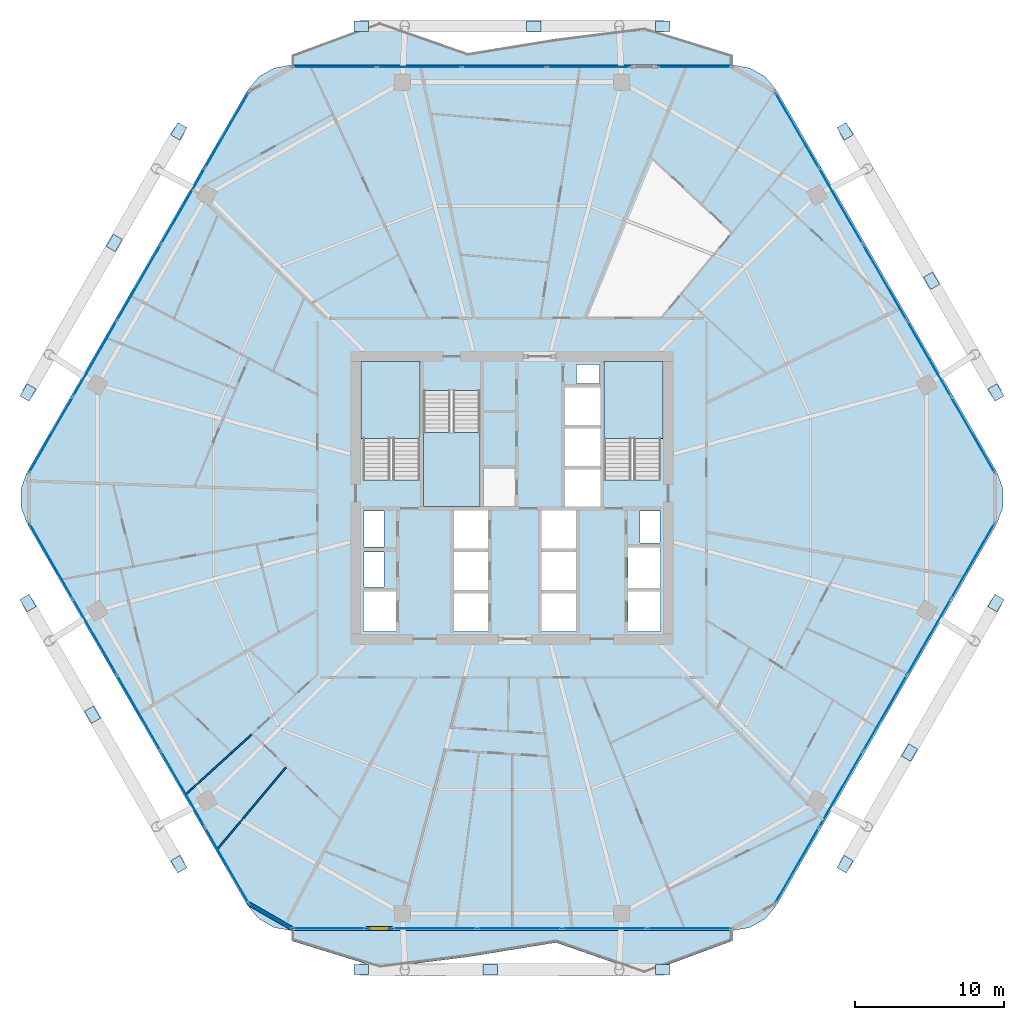
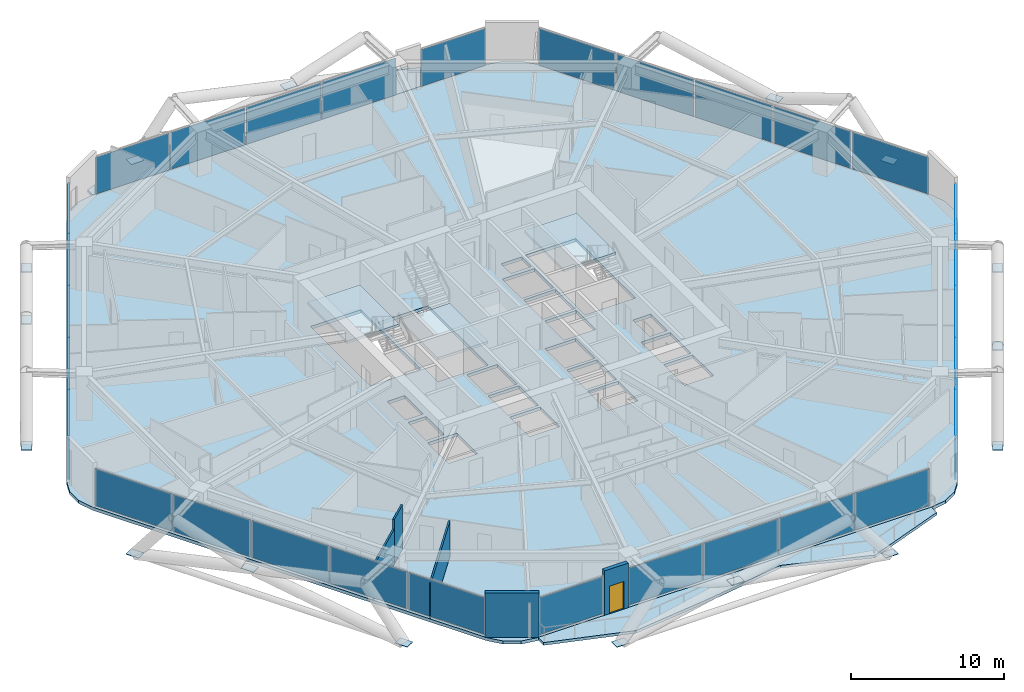
# One storey, part 26 of 35: 48 plates, 6 slabs, 5 walls, 1 door, 1 opening, 11 elements without a shape of their own.
"""IFC4 building model written with IfcOpenShell, lengths in metres."""

from ifc_helpers import new_model, si_unit, direction, frame, frame_2d, origin, origin_2d, place, context, subcontext, project, spatial, polyline, rectangle, outline, extrude, material, layer, layer_set, type_object, element, fill, aggregate, save


model = new_model("IFC4")

# Units and contexts
model_context = context("Model", 3, precision=1e-05, world=origin(), true_north=direction((0.0, 1.0)))
body_context = subcontext(model_context, "Body", "Model", "MODEL_VIEW")
ifc_project = project(units=[si_unit("LENGTHUNIT", "METRE"), si_unit("AREAUNIT", "SQUARE_METRE"), si_unit("VOLUMEUNIT", "CUBIC_METRE"), si_unit("PLANEANGLEUNIT", "RADIAN"), si_unit("MASSUNIT", "GRAM", prefix="KILO")], contexts=[model_context])

# Site, building, storey
site_placement = place(None, origin())
site = spatial("IfcSite", under=ifc_project, at=site_placement, CompositionType="ELEMENT")
building_placement = place(site_placement, origin())
building = spatial("IfcBuilding", under=site, at=building_placement, Name="Zuhravey Tower", CompositionType="ELEMENT")
storey_placement = place(building_placement, frame((0.0, 0.0, 138.0)))
storey = spatial("IfcBuildingStorey", under=building, at=storey_placement, Name="L34", CompositionType="ELEMENT", Elevation=138.0)

# Plates
ifc_material_1 = material(Name="Steel SM460", Category="steel")
ifc_layer_1 = layer(ifc_material_1, 0.0400390625)
ifc_layer_set_1 = layer_set([ifc_layer_1], Name="Steel SM460")
plate_type_1 = type_object("IfcPlateType", Name="Exoskeleton Zone 1 Node Plate ND1", PredefinedType="SHEET", material=ifc_layer_set_1)
for number, where, z_axis, x_axis, name in (
    (1, (68.537353515625, 39.08056640625, -0.484130859375), (0.0, 0.0, 1.0), (-0.5, 0.866025403784, 0.0), "L34 Exoskeleton Node Gusset L34-01"),
    (2, (58.400634765625, 56.637939453125, -0.484130859375), (0.0, 0.0, 1.0), (-0.5, 0.866025403784, 0.0), "L34 Exoskeleton Node Gusset L34-02"),
    (3, (46.13671875, 63.718505859375, -0.484130859375), (0.0, 0.0, 1.0), (-1.0, 0.0, 0.0), "L34 Exoskeleton Node Gusset L34-03"),
    (4, (25.86328125, 63.718505859375, -0.484130859375), (0.0, 0.0, 1.0), (-1.0, 0.0, 0.0), "L34 Exoskeleton Node Gusset L34-04"),
    (5, (13.599365234375, 56.637939453125, -0.484130859375), (0.0, 0.0, 1.0), (-0.5, -0.866025403784, 0.0), "L34 Exoskeleton Node Gusset L34-05"),
    (6, (3.462646484375, 39.08056640625, -0.484130859375), (0.0, 0.0, 1.0), (-0.5, -0.866025403784, 0.0), "L34 Exoskeleton Node Gusset L34-06"),
    (7, (3.462646484375, 24.91943359375, -0.484130859375), (0.0, 0.0, 1.0), (0.5, -0.866025403784, 0.0), "L34 Exoskeleton Node Gusset L34-07"),
    (8, (13.599365234375, 7.362060546875, -0.484130859375), (0.0, 0.0, 1.0), (0.5, -0.866025403784, 0.0), "L34 Exoskeleton Node Gusset L34-08"),
    (9, (25.86328125, 0.281494140625, -0.484130859375), (0.0, 0.0, 1.0), (1.0, 0.0, 0.0), "L34 Exoskeleton Node Gusset L34-09"),
    (10, (46.13671875, 0.281494140625, -0.484130859375), (0.0, 0.0, 1.0), (1.0, 0.0, 0.0), "L34 Exoskeleton Node Gusset L34-10"),
    (11, (58.400634765625, 7.362060546875, -0.484130859375), (0.0, 0.0, 1.0), (0.5, 0.866025403784, 0.0), "L34 Exoskeleton Node Gusset L34-11"),
    (12, (68.537353515625, 24.91943359375, -0.484130859375), (0.0, 0.0, 1.0), (0.5, 0.866025403784, 0.0), "L34 Exoskeleton Node Gusset L34-12"),
    (13, (64.211181640625, 46.588623046875, 1.416015625), (0.0, 0.0, 1.0), (-0.5, 0.866025403784, 0.0), "L34 Face 1 Diagrid X-Crossing Plate"),
    (14, (37.471435546875, 63.718505859375, 1.416015625), (0.0, 0.0, 1.0), (-1.0, 0.0, 0.0), "L34 Face 2 Diagrid X-Crossing Plate"),
    (15, (9.26025390625, 49.13720703125, 1.416015625), (0.0, 0.0, 1.0), (-0.5, -0.866025403784, 0.0), "L34 Face 3 Diagrid X-Crossing Plate"),
    (16, (7.79541015625, 17.4150390625, 1.416015625), (0.0, 0.0, 1.0), (0.5, -0.866025403784, 0.0), "L34 Face 4 Diagrid X-Crossing Plate"),
    (17, (34.528564453125, 0.27392578125, 1.416015625), (0.0, 0.0, 1.0), (1.0, 0.0, 0.0), "L34 Face 5 Diagrid X-Crossing Plate"),
    (18, (62.733154296875, 14.866455078125, 1.416015625), (0.0, 0.0, 1.0), (0.5, 0.866025403784, 0.0), "L34 Face 6 Diagrid X-Crossing Plate"),
):
    element("IfcPlate", number, at=place(storey_placement, frame(where, z_axis=z_axis, x_axis=x_axis)), inside=storey, type_object=plate_type_1, Name=name, PredefinedType="SHEET", context=body_context, shape_type="SweptSolid", body=[
        extrude(rectangle(XDim=0.9599609375, YDim=0.699951171875, at=origin_2d()), origin(), (0.0, 0.0, 1.0), 0.0400390625),
    ])

# Slabs
ifc_material_2 = material(Name="Concrete C50/60", Category="concrete")
ifc_layer_2 = layer(ifc_material_2, 0.25)
ifc_layer_set_2 = layer_set([ifc_layer_2], Name="Concrete C50/60")
slab_type_1 = type_object("IfcSlabType", Name="Residential Acoustic Slab 250", PredefinedType="FLOOR", material=ifc_layer_set_2)
slab_1_placement = place(storey_placement, frame((0.0, 0.0, -0.25)))
element("IfcSlab", 19, at=slab_1_placement, inside=storey, type_object=slab_type_1, Name="L34 Floor Slab FS25", PredefinedType="FLOOR", context=body_context, shape_type="SweptSolid", body=[
    extrude(outline(polyline([(68.618408203125, 30.300048828125), (69.0224609375, 31.40966796875), (69.0224609375, 32.59033203125), (68.618408203125, 33.699951171875), (53.781494140625, 59.3984375), (53.0224609375, 60.302978515625), (52.0, 60.893310546875), (50.8369140625, 61.098388671875), (21.1630859375, 61.098388671875), (20.0, 60.893310546875), (18.9775390625, 60.302978515625), (18.218505859375, 59.3984375), (3.381591796875, 33.699951171875), (2.9775390625, 32.59033203125), (2.9775390625, 31.40966796875), (3.381591796875, 30.300048828125), (18.218505859375, 4.6015625), (18.9775390625, 3.697021484375), (20.0, 3.106689453125), (21.1630859375, 2.901611328125), (50.8369140625, 2.901611328125), (52.0, 3.106689453125), (53.0224609375, 3.697021484375), (53.781494140625, 4.6015625), (68.618408203125, 30.300048828125)]), holes=[polyline([(29.800048828125, 33.20068359375), (29.800048828125, 41.0), (26.0, 41.0), (26.0, 33.20068359375), (29.800048828125, 33.20068359375)]), polyline([(46.0, 33.20068359375), (46.0, 41.0), (42.199951171875, 41.0), (42.199951171875, 33.20068359375), (46.0, 33.20068359375)]), polyline([(30.050048828125, 39.199462890625), (30.050048828125, 31.39990234375), (33.85009765625, 31.39990234375), (33.85009765625, 39.199462890625), (30.050048828125, 39.199462890625)]), polyline([(32.10009765625, 23.0), (34.39990234375, 23.0), (34.39990234375, 25.550048828125), (32.10009765625, 25.550048828125), (32.10009765625, 23.0)]), polyline([(32.10009765625, 25.800048828125), (34.39990234375, 25.800048828125), (34.39990234375, 28.35009765625), (32.10009765625, 28.35009765625), (32.10009765625, 25.800048828125)]), polyline([(32.10009765625, 28.60009765625), (34.39990234375, 28.60009765625), (34.39990234375, 31.14990234375), (32.10009765625, 31.14990234375), (32.10009765625, 28.60009765625)]), polyline([(38.0, 23.0), (40.300048828125, 23.0), (40.300048828125, 25.550048828125), (38.0, 25.550048828125), (38.0, 23.0)]), polyline([(38.0, 25.800048828125), (40.300048828125, 25.800048828125), (40.300048828125, 28.35009765625), (38.0, 28.35009765625), (38.0, 25.800048828125)]), polyline([(38.0, 28.60009765625), (40.300048828125, 28.60009765625), (40.300048828125, 31.14990234375), (38.0, 31.14990234375), (38.0, 28.60009765625)]), polyline([(39.550048828125, 31.39990234375), (41.949951171875, 31.39990234375), (41.949951171875, 33.89990234375), (39.550048828125, 33.89990234375), (39.550048828125, 31.39990234375)]), polyline([(39.550048828125, 34.14990234375), (41.949951171875, 34.14990234375), (41.949951171875, 36.64990234375), (39.550048828125, 36.64990234375), (39.550048828125, 34.14990234375)]), polyline([(39.550048828125, 36.89990234375), (41.949951171875, 36.89990234375), (41.949951171875, 39.39990234375), (39.550048828125, 39.39990234375), (39.550048828125, 36.89990234375)]), polyline([(26.0, 23.0), (28.199951171875, 23.0), (28.199951171875, 25.699951171875), (26.0, 25.699951171875), (26.0, 23.0)]), polyline([(43.800048828125, 23.0), (46.0, 23.0), (46.0, 25.699951171875), (43.800048828125, 25.699951171875), (43.800048828125, 23.0)]), polyline([(43.800048828125, 25.949951171875), (46.0, 25.949951171875), (46.0, 28.64990234375), (43.800048828125, 28.64990234375), (43.800048828125, 25.949951171875)]), polyline([(26.050048828125, 26.0), (27.39990234375, 26.0), (27.39990234375, 28.35009765625), (26.050048828125, 28.35009765625), (26.050048828125, 26.0)]), polyline([(26.050048828125, 28.699951171875), (27.39990234375, 28.699951171875), (27.39990234375, 31.10009765625), (26.050048828125, 31.10009765625), (26.050048828125, 28.699951171875)]), polyline([(44.60009765625, 28.949951171875), (45.949951171875, 28.949951171875), (45.949951171875, 31.10009765625), (44.60009765625, 31.10009765625), (44.60009765625, 28.949951171875)]), polyline([(40.35009765625, 39.699951171875), (41.89990234375, 39.699951171875), (41.89990234375, 40.949951171875), (40.35009765625, 40.949951171875), (40.35009765625, 39.699951171875)])]), origin(), (0.0, 0.0, 1.0), 0.25),
])
ifc_material_3 = material(Name="Concrete C40/50", Category="concrete")
ifc_layer_3 = layer(ifc_material_3, 0.219970703125)
ifc_layer_set_3 = layer_set([ifc_layer_3], Name="Concrete C40/50")
slab_type_2 = type_object("IfcSlabType", Name="Sinusoidal Residential Wave Balcony 220", PredefinedType="FLOOR", material=ifc_layer_set_3)
slab_2_placement = place(storey_placement, frame((0.0, 0.0, -0.219970703125)))
element("IfcSlab", 20, at=slab_2_placement, inside=storey, type_object=slab_type_2, Name="L34 Face 5 Wave Balcony WB22", PredefinedType="FLOOR", context=body_context, shape_type="SweptSolid", body=[
    extrude(outline(polyline([(21.171630859375, 2.91650390625), (50.828369140625, 2.91650390625), (50.828369140625, 2.216552734375), (44.89697265625, 0.0234375), (38.9658203125, 2.095703125), (33.0341796875, 1.1328125), (27.10302734375, 0.385009765625), (21.171630859375, 2.216552734375), (21.171630859375, 2.91650390625)])), origin(), (0.0, 0.0, 1.0), 0.219970703125),
])
slab_3_placement = place(storey_placement, frame((0.0, 0.0, -0.219970703125)))
element("IfcSlab", 21, at=slab_3_placement, inside=storey, type_object=slab_type_2, Name="L34 Face 2 Wave Balcony WB22", PredefinedType="FLOOR", context=body_context, shape_type="SweptSolid", body=[
    extrude(outline(polyline([(50.828369140625, 61.08349609375), (21.171630859375, 61.08349609375), (21.171630859375, 61.783447265625), (27.10302734375, 63.9765625), (33.0341796875, 61.904296875), (38.9658203125, 62.8671875), (44.89697265625, 63.614990234375), (50.828369140625, 61.783447265625), (50.828369140625, 61.08349609375)])), origin(), (0.0, 0.0, 1.0), 0.219970703125),
])

# Stair, slab
stair_type = type_object("IfcStairType", Name="Housing Storey Stair Assembly 3800", PredefinedType="HALF_TURN_STAIR", material=ifc_material_3)
stair_1_placement = place(storey_placement, origin())
stair_1 = element("IfcStair", 22, at=stair_1_placement, inside=storey, type_object=stair_type, Name="L34 Core Exit Stair ST1", PredefinedType="HALF_TURN_STAIR")
ifc_layer_4 = layer(ifc_material_3, 0.199951171875)
ifc_layer_set_4 = layer_set([ifc_layer_4], Name="Concrete C40/50")
slab_type_3 = type_object("IfcSlabType", Name="Stair Landing Slab 200", PredefinedType="LANDING", material=ifc_layer_set_4)
slab_4_placement = place(storey_placement, frame((0.0, 0.0, 1.699951171875)))
slab_4 = element("IfcSlab", 23, at=slab_4_placement, type_object=slab_type_3, Name="ST1 landing 1", PredefinedType="LANDING", context=body_context, shape_type="SweptSolid", body=[
    extrude(outline(polyline([(29.800048828125, 36.0), (29.800048828125, 41.14794921875), (25.85205078125, 41.14794921875), (25.85205078125, 36.0), (29.800048828125, 36.0)])), origin(), (0.0, 0.0, 1.0), 0.199951171875),
])
aggregate(stair_1, [slab_4])

stair_2_placement = place(storey_placement, origin())
stair_2 = element("IfcStair", 24, at=stair_2_placement, inside=storey, type_object=stair_type, Name="L34 Core Exit Stair ST2", PredefinedType="HALF_TURN_STAIR")
slab_5_placement = place(storey_placement, frame((0.0, 0.0, 1.699951171875)))
slab_5 = element("IfcSlab", 25, at=slab_5_placement, type_object=slab_type_3, Name="ST2 landing 1", PredefinedType="LANDING", context=body_context, shape_type="SweptSolid", body=[
    extrude(outline(polyline([(46.14794921875, 36.0), (46.14794921875, 41.14794921875), (42.199951171875, 41.14794921875), (42.199951171875, 36.0), (46.14794921875, 36.0)])), origin(), (0.0, 0.0, 1.0), 0.199951171875),
])
aggregate(stair_2, [slab_5])

stair_3_placement = place(storey_placement, origin())
stair_3 = element("IfcStair", 26, at=stair_3_placement, inside=storey, type_object=stair_type, Name="L34 Core Exit Stair ST3", PredefinedType="HALF_TURN_STAIR")
slab_6_placement = place(storey_placement, frame((0.0, 0.0, 1.699951171875)))
slab_6 = element("IfcSlab", 27, at=slab_6_placement, type_object=slab_type_3, Name="ST3 landing 1", PredefinedType="LANDING", context=body_context, shape_type="SweptSolid", body=[
    extrude(outline(polyline([(30.050048828125, 36.39990234375), (30.050048828125, 31.39990234375), (33.85009765625, 31.39990234375), (33.85009765625, 36.39990234375), (30.050048828125, 36.39990234375)])), origin(), (0.0, 0.0, 1.0), 0.199951171875),
])
aggregate(stair_3, [slab_6])

# Curtain wall, plates
ifc_material_4 = material(Name="Thermally broken anodised aluminium", Category="aluminium")
curtain_wall_type = type_object("IfcCurtainWallType", Name="Zone 1-2 Residential Curtain Wall CW3", PredefinedType="NOTDEFINED", material=ifc_material_4)
curtain_wall_1_placement = place(storey_placement, origin())
curtain_wall_1 = element("IfcCurtainWall", 28, at=curtain_wall_1_placement, inside=storey, type_object=curtain_wall_type, Name="L34 CW3 CW-L34-F6-1", PredefinedType="NOTDEFINED")
ifc_material_5 = material(Name="Triple low-E insulated vision glass", Category="glass")
ifc_layer_5 = layer(ifc_material_5, 0.0419921875)
ifc_layer_set_5 = layer_set([ifc_layer_5], Name="Triple low-E insulated vision glass")
plate_type_2 = type_object("IfcPlateType", Name="Triple Low-E Vision Panel", PredefinedType="CURTAIN_PANEL", material=ifc_layer_set_5)
plate_1_placement = place(storey_placement, frame((66.9873046875, 27.754638671875, 0.090087890625), z_axis=(0.0, 0.0, 1.0), x_axis=(-0.499999794119, -0.86602552265, 0.0)))
plate_1 = element("IfcPlate", 29, at=plate_1_placement, type_object=plate_type_2, Name="CW3 panel 1.1", PredefinedType="CURTAIN_PANEL", context=body_context, shape_type="SweptSolid", body=[
    extrude(rectangle(XDim=5.784912109375, YDim=0.0419921875, at=origin_2d()), origin(), (0.0, 0.0, 1.0), 2.94189453125),
])
plate_2_placement = place(storey_placement, frame((64.03857421875, 22.6474609375, 0.090087890625), z_axis=(0.0, 0.0, 1.0), x_axis=(-0.499999794119, -0.86602552265, 0.0)))
plate_2 = element("IfcPlate", 30, at=plate_2_placement, type_object=plate_type_2, Name="CW3 panel 2.1", PredefinedType="CURTAIN_PANEL", context=body_context, shape_type="SweptSolid", body=[
    extrude(rectangle(XDim=5.829833984375, YDim=0.0419921875, at=origin_2d()), origin(), (0.0, 0.0, 1.0), 2.94189453125),
])
plate_3_placement = place(storey_placement, frame((61.078857421875, 17.520751953125, 0.090087890625), z_axis=(0.0, 0.0, 1.0), x_axis=(-0.499999794119, -0.86602552265, 0.0)))
plate_3 = element("IfcPlate", 31, at=plate_3_placement, type_object=plate_type_2, Name="CW3 panel 3.1", PredefinedType="CURTAIN_PANEL", context=body_context, shape_type="SweptSolid", body=[
    extrude(rectangle(XDim=5.829833984375, YDim=0.0419921875, at=origin_2d()), origin(), (0.0, 0.0, 1.0), 2.94189453125),
])
plate_4_placement = place(storey_placement, frame((58.118896484375, 12.39404296875, 0.090087890625), z_axis=(0.0, 0.0, 1.0), x_axis=(-0.499999794119, -0.86602552265, 0.0)))
plate_4 = element("IfcPlate", 32, at=plate_4_placement, type_object=plate_type_2, Name="CW3 panel 4.1", PredefinedType="CURTAIN_PANEL", context=body_context, shape_type="SweptSolid", body=[
    extrude(rectangle(XDim=5.829833984375, YDim=0.0419921875, at=origin_2d()), origin(), (0.0, 0.0, 1.0), 2.94189453125),
])
plate_5_placement = place(storey_placement, frame((55.170166015625, 7.286865234375, 0.090087890625), z_axis=(0.0, 0.0, 1.0), x_axis=(-0.499999794119, -0.86602552265, 0.0)))
plate_5 = element("IfcPlate", 33, at=plate_5_placement, type_object=plate_type_2, Name="CW3 panel 5.1", PredefinedType="CURTAIN_PANEL", context=body_context, shape_type="SweptSolid", body=[
    extrude(rectangle(XDim=5.784912109375, YDim=0.0419921875, at=origin_2d()), origin(), (0.0, 0.0, 1.0), 2.94189453125),
])
aggregate(curtain_wall_1, [plate_1, plate_2, plate_3, plate_4, plate_5])

curtain_wall_2_placement = place(storey_placement, origin())
curtain_wall_2 = element("IfcCurtainWall", 34, at=curtain_wall_2_placement, inside=storey, type_object=curtain_wall_type, Name="L34 CW3 CW-L34-F5-1", PredefinedType="NOTDEFINED")
plate_6_placement = place(storey_placement, frame((47.918212890625, 3.04150390625, 0.090087890625), z_axis=(0.0, 0.0, 1.0), x_axis=(-1.0, 0.0, 0.0)))
plate_6 = element("IfcPlate", 35, at=plate_6_placement, type_object=plate_type_2, Name="CW3 panel 1.1", PredefinedType="CURTAIN_PANEL", context=body_context, shape_type="SweptSolid", body=[
    extrude(rectangle(XDim=5.58251953125, YDim=0.0419921875, at=origin_2d()), origin(), (0.0, 0.0, 1.0), 2.94189453125),
])
plate_7_placement = place(storey_placement, frame((42.223388671875, 3.04150390625, 0.090087890625), z_axis=(0.0, 0.0, 1.0), x_axis=(-1.0, 0.0, 0.0)))
plate_7 = element("IfcPlate", 36, at=plate_7_placement, type_object=plate_type_2, Name="CW3 panel 2.1", PredefinedType="CURTAIN_PANEL", context=body_context, shape_type="SweptSolid", body=[
    extrude(rectangle(XDim=5.62744140625, YDim=0.0419921875, at=origin_2d()), origin(), (0.0, 0.0, 1.0), 2.94189453125),
])
plate_8_placement = place(storey_placement, frame((36.505859375, 3.04150390625, 0.090087890625), z_axis=(0.0, 0.0, 1.0), x_axis=(-1.0, 0.0, 0.0)))
plate_8 = element("IfcPlate", 37, at=plate_8_placement, type_object=plate_type_2, Name="CW3 panel 3.1", PredefinedType="CURTAIN_PANEL", context=body_context, shape_type="SweptSolid", body=[
    extrude(rectangle(XDim=5.62744140625, YDim=0.0419921875, at=origin_2d()), origin(), (0.0, 0.0, 1.0), 2.94189453125),
])
plate_9_placement = place(storey_placement, frame((30.81103515625, 3.04150390625, 0.090087890625), z_axis=(0.0, 0.0, 1.0), x_axis=(-1.0, 0.0, 0.0)))
plate_9 = element("IfcPlate", 38, at=plate_9_placement, type_object=plate_type_2, Name="CW3 panel 4.1", PredefinedType="CURTAIN_PANEL", context=body_context, shape_type="SweptSolid", body=[
    extrude(rectangle(XDim=5.58251953125, YDim=0.0419921875, at=origin_2d()), origin(), (0.0, 0.0, 1.0), 2.94189453125),
])
aggregate(curtain_wall_2, [plate_6, plate_7, plate_8, plate_9])

# Curtain wall, plate
curtain_wall_3_placement = place(storey_placement, origin())
curtain_wall_3 = element("IfcCurtainWall", 39, at=curtain_wall_3_placement, inside=storey, type_object=curtain_wall_type, Name="L34 CW3 CW-L34-F5-2", PredefinedType="NOTDEFINED")
plate_10_placement = place(storey_placement, frame((23.715087890625, 3.04150390625, 0.090087890625), z_axis=(0.0, 0.0, 1.0), x_axis=(-1.0, 0.0, 0.0)))
plate_10 = element("IfcPlate", 40, at=plate_10_placement, type_object=plate_type_2, Name="CW3 panel 1.1", PredefinedType="CURTAIN_PANEL", context=body_context, shape_type="SweptSolid", body=[
    extrude(rectangle(XDim=4.849365234375, YDim=0.0419921875, at=origin_2d()), origin(), (0.0, 0.0, 1.0), 2.94189453125),
])
aggregate(curtain_wall_3, [plate_10])

# Curtain wall, plates
curtain_wall_4_placement = place(storey_placement, origin())
curtain_wall_4 = element("IfcCurtainWall", 41, at=curtain_wall_4_placement, inside=storey, type_object=curtain_wall_type, Name="L34 CW3 CW-L34-F4-1", PredefinedType="NOTDEFINED")
plate_11_placement = place(storey_placement, frame((16.829833984375, 7.286865234375, 0.090087890625), z_axis=(0.0, 0.0, 1.0), x_axis=(-0.499999794119, 0.86602552265, 0.0)))
plate_11 = element("IfcPlate", 42, at=plate_11_placement, type_object=plate_type_2, Name="CW3 panel 1.1", PredefinedType="CURTAIN_PANEL", context=body_context, shape_type="SweptSolid", body=[
    extrude(rectangle(XDim=5.784912109375, YDim=0.0419921875, at=origin_2d()), origin(), (0.0, 0.0, 1.0), 2.94189453125),
])
plate_12_placement = place(storey_placement, frame((13.881103515625, 12.39404296875, 0.090087890625), z_axis=(0.0, 0.0, 1.0), x_axis=(-0.499999794119, 0.86602552265, 0.0)))
plate_12 = element("IfcPlate", 43, at=plate_12_placement, type_object=plate_type_2, Name="CW3 panel 2.1", PredefinedType="CURTAIN_PANEL", context=body_context, shape_type="SweptSolid", body=[
    extrude(rectangle(XDim=5.829833984375, YDim=0.0419921875, at=origin_2d()), origin(), (0.0, 0.0, 1.0), 2.94189453125),
])
plate_13_placement = place(storey_placement, frame((10.921142578125, 17.520751953125, 0.090087890625), z_axis=(0.0, 0.0, 1.0), x_axis=(-0.499999794119, 0.86602552265, 0.0)))
plate_13 = element("IfcPlate", 44, at=plate_13_placement, type_object=plate_type_2, Name="CW3 panel 3.1", PredefinedType="CURTAIN_PANEL", context=body_context, shape_type="SweptSolid", body=[
    extrude(rectangle(XDim=5.829833984375, YDim=0.0419921875, at=origin_2d()), origin(), (0.0, 0.0, 1.0), 2.94189453125),
])
plate_14_placement = place(storey_placement, frame((7.96142578125, 22.6474609375, 0.090087890625), z_axis=(0.0, 0.0, 1.0), x_axis=(-0.499999794119, 0.86602552265, 0.0)))
plate_14 = element("IfcPlate", 45, at=plate_14_placement, type_object=plate_type_2, Name="CW3 panel 4.1", PredefinedType="CURTAIN_PANEL", context=body_context, shape_type="SweptSolid", body=[
    extrude(rectangle(XDim=5.829833984375, YDim=0.0419921875, at=origin_2d()), origin(), (0.0, 0.0, 1.0), 2.94189453125),
])
plate_15_placement = place(storey_placement, frame((5.0126953125, 27.754638671875, 0.090087890625), z_axis=(0.0, 0.0, 1.0), x_axis=(-0.499999794119, 0.86602552265, 0.0)))
plate_15 = element("IfcPlate", 46, at=plate_15_placement, type_object=plate_type_2, Name="CW3 panel 5.1", PredefinedType="CURTAIN_PANEL", context=body_context, shape_type="SweptSolid", body=[
    extrude(rectangle(XDim=5.784912109375, YDim=0.0419921875, at=origin_2d()), origin(), (0.0, 0.0, 1.0), 2.94189453125),
])
aggregate(curtain_wall_4, [plate_11, plate_12, plate_13, plate_14, plate_15])

curtain_wall_5_placement = place(storey_placement, origin())
curtain_wall_5 = element("IfcCurtainWall", 47, at=curtain_wall_5_placement, inside=storey, type_object=curtain_wall_type, Name="L34 CW3 CW-L34-F3-1", PredefinedType="NOTDEFINED")
plate_16_placement = place(storey_placement, frame((5.0126953125, 36.245361328125, 0.090087890625), z_axis=(0.0, 0.0, 1.0), x_axis=(0.499999794119, 0.86602552265, 0.0)))
plate_16 = element("IfcPlate", 48, at=plate_16_placement, type_object=plate_type_2, Name="CW3 panel 1.1", PredefinedType="CURTAIN_PANEL", context=body_context, shape_type="SweptSolid", body=[
    extrude(rectangle(XDim=5.784912109375, YDim=0.0419921875, at=origin_2d()), origin(), (0.0, 0.0, 1.0), 2.94189453125),
])
plate_17_placement = place(storey_placement, frame((7.96142578125, 41.3525390625, 0.090087890625), z_axis=(0.0, 0.0, 1.0), x_axis=(0.499999794119, 0.86602552265, 0.0)))
plate_17 = element("IfcPlate", 49, at=plate_17_placement, type_object=plate_type_2, Name="CW3 panel 2.1", PredefinedType="CURTAIN_PANEL", context=body_context, shape_type="SweptSolid", body=[
    extrude(rectangle(XDim=5.829833984375, YDim=0.0419921875, at=origin_2d()), origin(), (0.0, 0.0, 1.0), 2.94189453125),
])
plate_18_placement = place(storey_placement, frame((10.921142578125, 46.479248046875, 0.090087890625), z_axis=(0.0, 0.0, 1.0), x_axis=(0.499999794119, 0.86602552265, 0.0)))
plate_18 = element("IfcPlate", 50, at=plate_18_placement, type_object=plate_type_2, Name="CW3 panel 3.1", PredefinedType="CURTAIN_PANEL", context=body_context, shape_type="SweptSolid", body=[
    extrude(rectangle(XDim=5.829833984375, YDim=0.0419921875, at=origin_2d()), origin(), (0.0, 0.0, 1.0), 2.94189453125),
])
plate_19_placement = place(storey_placement, frame((13.881103515625, 51.60595703125, 0.090087890625), z_axis=(0.0, 0.0, 1.0), x_axis=(0.499999794119, 0.86602552265, 0.0)))
plate_19 = element("IfcPlate", 51, at=plate_19_placement, type_object=plate_type_2, Name="CW3 panel 4.1", PredefinedType="CURTAIN_PANEL", context=body_context, shape_type="SweptSolid", body=[
    extrude(rectangle(XDim=5.829833984375, YDim=0.0419921875, at=origin_2d()), origin(), (0.0, 0.0, 1.0), 2.94189453125),
])
plate_20_placement = place(storey_placement, frame((16.829833984375, 56.713134765625, 0.090087890625), z_axis=(0.0, 0.0, 1.0), x_axis=(0.499999794119, 0.86602552265, 0.0)))
plate_20 = element("IfcPlate", 52, at=plate_20_placement, type_object=plate_type_2, Name="CW3 panel 5.1", PredefinedType="CURTAIN_PANEL", context=body_context, shape_type="SweptSolid", body=[
    extrude(rectangle(XDim=5.784912109375, YDim=0.0419921875, at=origin_2d()), origin(), (0.0, 0.0, 1.0), 2.94189453125),
])
aggregate(curtain_wall_5, [plate_16, plate_17, plate_18, plate_19, plate_20])

curtain_wall_6_placement = place(storey_placement, origin())
curtain_wall_6 = element("IfcCurtainWall", 53, at=curtain_wall_6_placement, inside=storey, type_object=curtain_wall_type, Name="L34 CW3 CW-L34-F2-1", PredefinedType="NOTDEFINED")
plate_21_placement = place(storey_placement, frame((24.07763671875, 60.95849609375, 0.090087890625), z_axis=(0.0, 0.0, 1.0), x_axis=(1.0, 0.0, 0.0)))
plate_21 = element("IfcPlate", 54, at=plate_21_placement, type_object=plate_type_2, Name="CW3 panel 1.1", PredefinedType="CURTAIN_PANEL", context=body_context, shape_type="SweptSolid", body=[
    extrude(rectangle(XDim=5.574462890625, YDim=0.0419921875, at=origin_2d()), origin(), (0.0, 0.0, 1.0), 2.94189453125),
])
plate_22_placement = place(storey_placement, frame((29.7646484375, 60.95849609375, 0.090087890625), z_axis=(0.0, 0.0, 1.0), x_axis=(1.0, 0.0, 0.0)))
plate_22 = element("IfcPlate", 55, at=plate_22_placement, type_object=plate_type_2, Name="CW3 panel 2.1", PredefinedType="CURTAIN_PANEL", context=body_context, shape_type="SweptSolid", body=[
    extrude(rectangle(XDim=5.619384765625, YDim=0.0419921875, at=origin_2d()), origin(), (0.0, 0.0, 1.0), 2.94189453125),
])
plate_23_placement = place(storey_placement, frame((35.47412109375, 60.95849609375, 0.090087890625), z_axis=(0.0, 0.0, 1.0), x_axis=(1.0, 0.0, 0.0)))
plate_23 = element("IfcPlate", 56, at=plate_23_placement, type_object=plate_type_2, Name="CW3 panel 3.1", PredefinedType="CURTAIN_PANEL", context=body_context, shape_type="SweptSolid", body=[
    extrude(rectangle(XDim=5.619384765625, YDim=0.0419921875, at=origin_2d()), origin(), (0.0, 0.0, 1.0), 2.94189453125),
])
plate_24_placement = place(storey_placement, frame((41.1611328125, 60.95849609375, 0.090087890625), z_axis=(0.0, 0.0, 1.0), x_axis=(1.0, 0.0, 0.0)))
plate_24 = element("IfcPlate", 57, at=plate_24_placement, type_object=plate_type_2, Name="CW3 panel 4.1", PredefinedType="CURTAIN_PANEL", context=body_context, shape_type="SweptSolid", body=[
    extrude(rectangle(XDim=5.574462890625, YDim=0.0419921875, at=origin_2d()), origin(), (0.0, 0.0, 1.0), 2.94189453125),
])
aggregate(curtain_wall_6, [plate_21, plate_22, plate_23, plate_24])

# Curtain wall, plate
curtain_wall_7_placement = place(storey_placement, origin())
curtain_wall_7 = element("IfcCurtainWall", 58, at=curtain_wall_7_placement, inside=storey, type_object=curtain_wall_type, Name="L34 CW3 CW-L34-F2-2", PredefinedType="NOTDEFINED")
plate_25_placement = place(storey_placement, frame((48.26904296875, 60.95849609375, 0.090087890625), z_axis=(0.0, 0.0, 1.0), x_axis=(1.0, 0.0, 0.0)))
plate_25 = element("IfcPlate", 59, at=plate_25_placement, type_object=plate_type_2, Name="CW3 panel 1.1", PredefinedType="CURTAIN_PANEL", context=body_context, shape_type="SweptSolid", body=[
    extrude(rectangle(XDim=4.881103515625, YDim=0.0419921875, at=origin_2d()), origin(), (0.0, 0.0, 1.0), 2.94189453125),
])
aggregate(curtain_wall_7, [plate_25])

# Curtain wall, plates
curtain_wall_8_placement = place(storey_placement, origin())
curtain_wall_8 = element("IfcCurtainWall", 60, at=curtain_wall_8_placement, inside=storey, type_object=curtain_wall_type, Name="L34 CW3 CW-L34-F1-1", PredefinedType="NOTDEFINED")
plate_26_placement = place(storey_placement, frame((55.170166015625, 56.713134765625, 0.090087890625), z_axis=(0.0, 0.0, 1.0), x_axis=(0.499999794119, -0.86602552265, 0.0)))
plate_26 = element("IfcPlate", 61, at=plate_26_placement, type_object=plate_type_2, Name="CW3 panel 1.1", PredefinedType="CURTAIN_PANEL", context=body_context, shape_type="SweptSolid", body=[
    extrude(rectangle(XDim=5.784912109375, YDim=0.0419921875, at=origin_2d()), origin(), (0.0, 0.0, 1.0), 2.94189453125),
])
plate_27_placement = place(storey_placement, frame((58.118896484375, 51.60595703125, 0.090087890625), z_axis=(0.0, 0.0, 1.0), x_axis=(0.499999794119, -0.86602552265, 0.0)))
plate_27 = element("IfcPlate", 62, at=plate_27_placement, type_object=plate_type_2, Name="CW3 panel 2.1", PredefinedType="CURTAIN_PANEL", context=body_context, shape_type="SweptSolid", body=[
    extrude(rectangle(XDim=5.829833984375, YDim=0.0419921875, at=origin_2d()), origin(), (0.0, 0.0, 1.0), 2.94189453125),
])
plate_28_placement = place(storey_placement, frame((61.078857421875, 46.479248046875, 0.090087890625), z_axis=(0.0, 0.0, 1.0), x_axis=(0.499999794119, -0.86602552265, 0.0)))
plate_28 = element("IfcPlate", 63, at=plate_28_placement, type_object=plate_type_2, Name="CW3 panel 3.1", PredefinedType="CURTAIN_PANEL", context=body_context, shape_type="SweptSolid", body=[
    extrude(rectangle(XDim=5.829833984375, YDim=0.0419921875, at=origin_2d()), origin(), (0.0, 0.0, 1.0), 2.94189453125),
])
plate_29_placement = place(storey_placement, frame((64.03857421875, 41.3525390625, 0.090087890625), z_axis=(0.0, 0.0, 1.0), x_axis=(0.499999794119, -0.86602552265, 0.0)))
plate_29 = element("IfcPlate", 64, at=plate_29_placement, type_object=plate_type_2, Name="CW3 panel 4.1", PredefinedType="CURTAIN_PANEL", context=body_context, shape_type="SweptSolid", body=[
    extrude(rectangle(XDim=5.829833984375, YDim=0.0419921875, at=origin_2d()), origin(), (0.0, 0.0, 1.0), 2.94189453125),
])
plate_30_placement = place(storey_placement, frame((66.9873046875, 36.245361328125, 0.090087890625), z_axis=(0.0, 0.0, 1.0), x_axis=(0.499999794119, -0.86602552265, 0.0)))
plate_30 = element("IfcPlate", 65, at=plate_30_placement, type_object=plate_type_2, Name="CW3 panel 5.1", PredefinedType="CURTAIN_PANEL", context=body_context, shape_type="SweptSolid", body=[
    extrude(rectangle(XDim=5.784912109375, YDim=0.0419921875, at=origin_2d()), origin(), (0.0, 0.0, 1.0), 2.94189453125),
])
aggregate(curtain_wall_8, [plate_26, plate_27, plate_28, plate_29, plate_30])

# Wall, opening, door
ifc_material_6 = material(Name="Precast concrete C40/50", Category="concrete")
ifc_layer_6 = layer(ifc_material_6, 0.280029296875)
ifc_layer_set_6 = layer_set([ifc_layer_6], Name="Precast concrete C40/50")
wall_type_1 = type_object("IfcWallType", Name="Crown Architectural Wall 280", PredefinedType="SOLIDWALL", material=ifc_layer_set_6)
wall_1_placement = place(storey_placement, frame((27.974853515625, 3.04150390625, 0.0), z_axis=(0.0, 0.0, 1.0), x_axis=(-1.0, 0.0, 0.0)))
wall_1 = element("IfcWall", 66, at=wall_1_placement, inside=storey, type_object=wall_type_1, Name="L34 Face 5 Facade Pier EW28-1", PredefinedType="SOLIDWALL", context=body_context, shape_type="SweptSolid", body=[
    extrude(rectangle(XDim=1.7900390625, YDim=0.280029296875, at=frame_2d((0.89501953125, 0.0))), origin(), (0.0, 0.0, 1.0), 3.550048828125),
])
opening_placement = place(wall_1_placement, frame((0.344970703125, 0.0, 0.0)))
opening = element("IfcOpeningElement", 67, at=opening_placement, cuts=wall_1, Name="Opening BLD1", PredefinedType="OPENING", context=body_context, shape_type="SweptSolid", body=[
    extrude(rectangle(XDim=1.10009765625, YDim=2.199951171875, at=frame_2d((0.550048828125, 1.10009765625))), frame((0.0, 0.152099609375, 0.0), z_axis=(0.0, -1.0, 0.0), x_axis=(1.0, 0.0, 0.0)), (0.0, 0.0, 1.0), 0.303955078125),
])
ifc_material_7 = material(Name="Thermally broken aluminium and low-E glass", Category="aluminium")
door_type = type_object("IfcDoorType", Name="Balcony & Sky-Tray Glazed Door 1100x2200", OperationType="NOTDEFINED", PredefinedType="DOOR", material=ifc_material_7)
door_placement = place(opening_placement, frame((1.10009765625, 0.0, 0.0), z_axis=(0.0, 0.0, 1.0), x_axis=(-1.0, 0.0, 0.0)))
door = element("IfcDoor", 68, at=door_placement, inside=storey, type_object=door_type, Name="L34 Face 5 Wave Balcony Door", OperationType="SINGLE_SWING_LEFT", OverallHeight=2.199951171875, OverallWidth=1.10009765625, PredefinedType="DOOR", context=body_context, shape_type="SweptSolid", body=[
    extrude(rectangle(XDim=1.10009765625, YDim=2.199951171875, at=frame_2d((0.550048828125, 1.10009765625))), frame((0.0, 0.02490234375, 0.0), z_axis=(0.0, -1.0, 0.0), x_axis=(1.0, 0.0, 0.0)), (0.0, 0.0, 1.0), 0.050048828125),
])
fill(opening, door)

# Walls
wall_2_placement = place(storey_placement, frame((21.28271484375, 2.993896484375, 0.0), z_axis=(0.0, 0.0, 1.0), x_axis=(-0.866007452331, 0.500031091541, 0.0)))
element("IfcWall", 69, at=wall_2_placement, inside=storey, type_object=wall_type_1, Name="L34 Rounded Corner Closure Wall EW28-04", PredefinedType="SOLIDWALL", context=body_context, shape_type="SweptSolid", body=[
    extrude(rectangle(XDim=3.514892578125, YDim=0.280029296875, at=frame_2d((1.75732421875, 0.0))), origin(), (0.0, 0.0, 1.0), 3.550048828125),
])
ifc_material_8 = material(Name="Gypsum metal-stud partition")
ifc_layer_7 = layer(ifc_material_8, 0.1201171875)
ifc_layer_set_7 = layer_set([ifc_layer_7], Name="Gypsum metal-stud partition")
wall_type_2 = type_object("IfcWallType", Name="Unit Internal Partition 120", PredefinedType="PARTITIONING", material=ifc_layer_set_7)
wall_3_placement = place(storey_placement, frame((18.496826171875, 16.08447265625, 0.0), z_axis=(0.0, 0.0, 1.0), x_axis=(-0.739855068129, -0.672766287922, 0.0)))
element("IfcWall", 70, at=wall_3_placement, inside=storey, type_object=wall_type_2, Name="L34 IW12 Partition 048", PredefinedType="PARTITIONING", context=body_context, shape_type="SweptSolid", body=[
    extrude(rectangle(XDim=1.819580078125, YDim=0.1201171875, at=frame_2d((0.90966796875, 0.0))), origin(), (0.0, 0.0, 1.0), 3.550048828125),
])
wall_4_placement = place(storey_placement, frame((20.7939453125, 13.8662109375, 0.0), z_axis=(0.0, 0.0, 1.0), x_axis=(-0.642520269692, -0.766268688539, 0.0)))
element("IfcWall", 71, at=wall_4_placement, inside=storey, type_object=wall_type_2, Name="L34 IW12 Partition 099", PredefinedType="PARTITIONING", context=body_context, shape_type="SweptSolid", body=[
    extrude(rectangle(XDim=7.187255859375, YDim=0.1201171875, at=frame_2d((3.59375, 0.0))), origin(), (0.0, 0.0, 1.0), 2.800048828125),
])
wall_5_placement = place(storey_placement, frame((17.150634765625, 14.8603515625, 0.0), z_axis=(0.0, 0.0, 1.0), x_axis=(-0.739873749573, -0.672745742976, 0.0)))
element("IfcWall", 72, at=wall_5_placement, inside=storey, type_object=wall_type_2, Name="L34 IW12 Partition 101", PredefinedType="PARTITIONING", context=body_context, shape_type="SweptSolid", body=[
    extrude(rectangle(XDim=4.164306640625, YDim=0.1201171875, at=frame_2d((2.08203125, 0.0))), origin(), (0.0, 0.0, 1.0), 2.800048828125),
])

save(model, "model.ifc")
